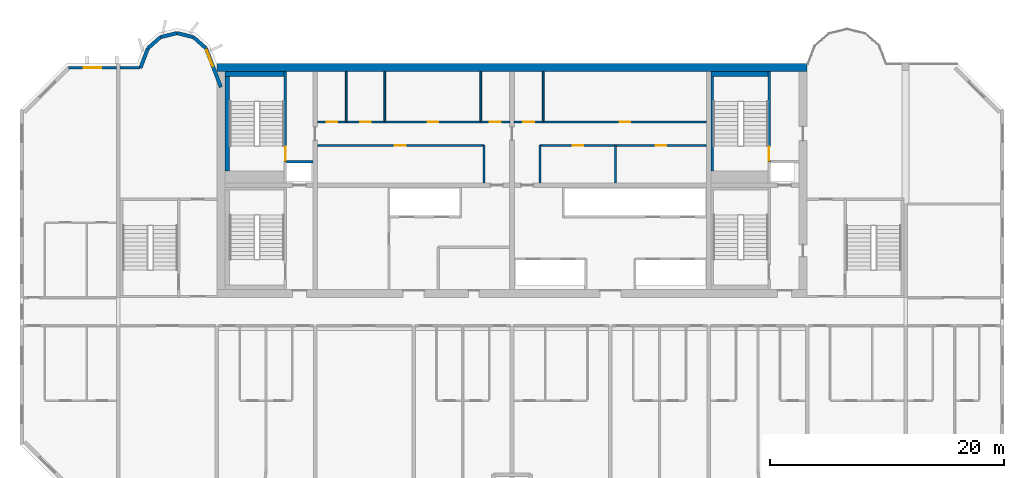
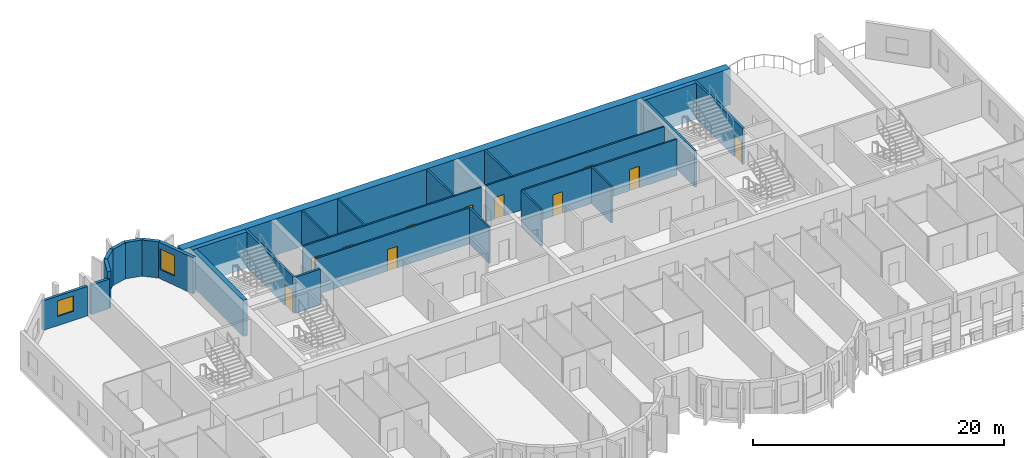
# One storey, part 7 of 13: 27 walls, 11 doors, 2 windows, 13 openings.
"""IFC4 building model written with IfcOpenShell, lengths in metres."""

from ifc_helpers import new_model, si_unit, direction, frame, frame_2d, origin, place, context, subcontext, project, spatial, rectangle, extrude, source, transform, mapped, material, layer, layer_set, type_object, element, fill, save


model = new_model("IFC4")

# Units and contexts
model_context = context("Model", 3, precision=1e-05, world=origin(), true_north=direction((0.0, 1.0)))
body_context = subcontext(model_context, "Body", "Model", "MODEL_VIEW")
ifc_project = project(units=[si_unit("LENGTHUNIT", "METRE"), si_unit("AREAUNIT", "SQUARE_METRE"), si_unit("VOLUMEUNIT", "CUBIC_METRE"), si_unit("PLANEANGLEUNIT", "RADIAN"), si_unit("MASSUNIT", "GRAM", prefix="KILO")], contexts=[model_context])

# Site, building, storey
site_placement = place(None, origin())
site = spatial("IfcSite", under=ifc_project, at=site_placement, CompositionType="ELEMENT")
building_placement = place(site_placement, origin())
building = spatial("IfcBuilding", under=site, at=building_placement, Name="Vanashikhar Sky Hotel", CompositionType="ELEMENT")
storey_placement = place(building_placement, frame((0.0, 0.0, 155.39990234375)))
storey = spatial("IfcBuildingStorey", under=building, at=storey_placement, Name="L37", CompositionType="ELEMENT", Elevation=155.39990234375)

# Wall
ifc_material_1 = material(Name="Concrete M60", Category="concrete")
ifc_layer_1 = layer(ifc_material_1, 0.699951171875)
ifc_layer_set_1 = layer_set([ifc_layer_1], Name="RC core shell wall 700 Concrete M60")
wall_type_1 = type_object("IfcWallType", Name="RC core shell wall 700 Concrete M60", PredefinedType="SHEAR", material=ifc_layer_set_1)
shared_shape_1 = source(origin(), body_context, "Body", "SweptSolid", [
    extrude(rectangle(XDim=50.400146484375, YDim=0.699951171875, at=frame_2d((25.2001953125, 0.0))), origin(), (0.0, 0.0, 1.0), 3.52001953125),
])
wall_1_placement = place(storey_placement, frame((25.199951171875, 41.64990234375, 0.0), z_axis=(0.0, 0.0, 1.0), x_axis=(1.0, 0.0, 0.0)))
element("IfcWall", 1, at=wall_1_placement, inside=storey, type_object=wall_type_1, Name="KW-L37-KN", PredefinedType="SHEAR", context=body_context, shape_type="MappedRepresentation", body=[
    mapped(shared_shape_1, transform((0.0, 0.0, 0.0), scale=1.0)),
])

# Wall, opening, window
ifc_material_2 = material(Name="Concrete M50", Category="concrete")
ifc_layer_2 = layer(ifc_material_2, 0.300048828125)
ifc_layer_set_2 = layer_set([ifc_layer_2], Name="Lobe wall 300")
wall_type_2 = type_object("IfcWallType", Name="Lobe wall 300", PredefinedType="SOLIDWALL", material=ifc_layer_set_2)
shared_shape_2 = source(origin(), body_context, "Body", "SweptSolid", [
    extrude(rectangle(XDim=3.55908203125, YDim=0.300048828125, at=frame_2d((1.779541015625, 0.0))), origin(), (0.0, 0.0, 1.0), 3.52001953125),
])
wall_2_placement = place(storey_placement, frame((25.550048828125, 39.968505859375, 0.0), z_axis=(0.0, 0.0, 1.0), x_axis=(-0.35779745313, 0.933799219604, 0.0)))
wall_2 = element("IfcWall", 2, at=wall_2_placement, inside=storey, type_object=wall_type_2, Name="Lobe wall", PredefinedType="SOLIDWALL", context=body_context, shape_type="MappedRepresentation", body=[
    mapped(shared_shape_2, transform((0.0, 0.0, 0.0), scale=1.0)),
])
shared_shape_3 = source(origin(), body_context, "Body", "SweptSolid", [
    extrude(rectangle(XDim=1.5, YDim=2.0, at=frame_2d((0.75, 1.0))), frame((0.0, 0.16015625, 0.0), z_axis=(0.0, -1.0, 0.0), x_axis=(1.0, 0.0, 0.0)), (0.0, 0.0, 1.0), 0.320068359375),
])
opening_1_placement = place(wall_2_placement, frame((1.9033203125, 0.0, 0.89990234375)))
opening_1 = element("IfcOpeningElement", 3, at=opening_1_placement, cuts=wall_2, Name="Opening WN-2", PredefinedType="OPENING", context=body_context, shape_type="MappedRepresentation", body=[
    mapped(shared_shape_3, transform((0.0, 0.0, 0.0), scale=1.0)),
])
ifc_material_3 = material(Name="Glass", Category="glass")
window_type_1 = type_object("IfcWindowType", Name="Lobe window 1500 x 2000", PartitioningType="SINGLE_PANEL", PredefinedType="WINDOW", material=ifc_material_3)
shared_shape_4 = source(origin(), body_context, "Body", "SweptSolid", [
    extrude(rectangle(XDim=1.5, YDim=2.0, at=frame_2d((0.75, 1.0))), frame((0.0, 0.030029296875, 0.0), z_axis=(0.0, -1.0, 0.0), x_axis=(1.0, 0.0, 0.0)), (0.0, 0.0, 1.0), 0.06005859375),
])
window_1_placement = place(opening_1_placement, origin())
window_1 = element("IfcWindow", 4, at=window_1_placement, inside=storey, type_object=window_type_1, Name="Window WN-2", OverallHeight=2.0, OverallWidth=1.5, PartitioningType="SINGLE_PANEL", PredefinedType="WINDOW", context=body_context, shape_type="MappedRepresentation", body=[
    mapped(shared_shape_4, transform((0.0, 0.0, 0.0), scale=1.0)),
])
fill(opening_1, window_1)

# Walls
shared_shape_5 = source(origin(), body_context, "Body", "SweptSolid", [
    extrude(rectangle(XDim=1.440185546875, YDim=0.300048828125, at=frame_2d((0.72021484375, 0.0))), origin(), (0.0, 0.0, 1.0), 3.52001953125),
])
wall_3_placement = place(storey_placement, frame((24.276611328125, 43.2919921875, 0.0), z_axis=(0.0, 0.0, 1.0), x_axis=(-0.749649827867, 0.661834673902, 0.0)))
element("IfcWall", 5, at=wall_3_placement, inside=storey, type_object=wall_type_2, Name="Lobe wall", PredefinedType="SOLIDWALL", context=body_context, shape_type="MappedRepresentation", body=[
    mapped(shared_shape_5, transform((0.0, 0.0, 0.0), scale=1.0)),
])
shared_shape_6 = source(origin(), body_context, "Body", "SweptSolid", [
    extrude(rectangle(XDim=1.4384765625, YDim=0.300048828125, at=frame_2d((0.71923828125, 0.0))), origin(), (0.0, 0.0, 1.0), 3.52001953125),
])
wall_4_placement = place(storey_placement, frame((23.197021484375, 44.2451171875, 0.0), z_axis=(0.0, 0.0, 1.0), x_axis=(-0.971152283879, 0.238460146601, 0.0)))
element("IfcWall", 6, at=wall_4_placement, inside=storey, type_object=wall_type_2, Name="Lobe wall", PredefinedType="SOLIDWALL", context=body_context, shape_type="MappedRepresentation", body=[
    mapped(shared_shape_6, transform((0.0, 0.0, 0.0), scale=1.0)),
])
shared_shape_7 = source(origin(), body_context, "Body", "SweptSolid", [
    extrude(rectangle(XDim=1.438720703125, YDim=0.300048828125, at=frame_2d((0.71923828125, 0.0))), origin(), (0.0, 0.0, 1.0), 3.52001953125),
])
wall_5_placement = place(storey_placement, frame((21.800048828125, 44.588134765625, 0.0), z_axis=(0.0, 0.0, 1.0), x_axis=(-0.971161932466, -0.238420848351, 0.0)))
element("IfcWall", 7, at=wall_5_placement, inside=storey, type_object=wall_type_2, Name="Lobe wall", PredefinedType="SOLIDWALL", context=body_context, shape_type="MappedRepresentation", body=[
    mapped(shared_shape_7, transform((0.0, 0.0, 0.0), scale=1.0)),
])
shared_shape_8 = source(origin(), body_context, "Body", "SweptSolid", [
    extrude(rectangle(XDim=1.43994140625, YDim=0.300048828125, at=frame_2d((0.719970703125, 0.0))), origin(), (0.0, 0.0, 1.0), 3.52001953125),
])
wall_6_placement = place(storey_placement, frame((20.40283203125, 44.2451171875, 0.0), z_axis=(0.0, 0.0, 1.0), x_axis=(-0.74957555648, -0.661918790432, 0.0)))
element("IfcWall", 8, at=wall_6_placement, inside=storey, type_object=wall_type_2, Name="Lobe wall", PredefinedType="SOLIDWALL", context=body_context, shape_type="MappedRepresentation", body=[
    mapped(shared_shape_8, transform((0.0, 0.0, 0.0), scale=1.0)),
])
shared_shape_9 = source(origin(), body_context, "Body", "SweptSolid", [
    extrude(rectangle(XDim=1.81201171875, YDim=0.300048828125, at=frame_2d((0.906005859375, 0.0))), origin(), (0.0, 0.0, 1.0), 3.52001953125),
])
wall_7_placement = place(storey_placement, frame((19.323486328125, 43.2919921875, 0.0), z_axis=(0.0, 0.0, 1.0), x_axis=(-0.357877270961, -0.93376863244, 0.0)))
element("IfcWall", 9, at=wall_7_placement, inside=storey, type_object=wall_type_2, Name="Lobe wall", PredefinedType="SOLIDWALL", context=body_context, shape_type="MappedRepresentation", body=[
    mapped(shared_shape_9, transform((0.0, 0.0, 0.0), scale=1.0)),
])

# Wall, opening, window
ifc_layer_3 = layer(ifc_material_2, 0.25)
ifc_layer_set_3 = layer_set([ifc_layer_3], Name="Rear and end board-marked wall 250")
wall_type_3 = type_object("IfcWallType", Name="Rear and end board-marked wall 250", PredefinedType="SOLIDWALL", material=ifc_layer_set_3)
shared_shape_10 = source(origin(), body_context, "Body", "SweptSolid", [
    extrude(rectangle(XDim=4.094482421875, YDim=0.25, at=frame_2d((2.04736328125, 0.0))), origin(), (0.0, 0.0, 1.0), 2.8701171875),
])
wall_8_placement = place(storey_placement, frame((16.64990234375, 41.625, 0.0), z_axis=(0.0, 0.0, 1.0), x_axis=(-1.0, 0.0, 0.0)))
wall_8 = element("IfcWall", 10, at=wall_8_placement, inside=storey, type_object=wall_type_3, Name="Rear board-marked wall", PredefinedType="SOLIDWALL", context=body_context, shape_type="MappedRepresentation", body=[
    mapped(shared_shape_10, transform((0.0, 0.0, 0.0), scale=1.0)),
])
shared_shape_11 = source(origin(), body_context, "Body", "SweptSolid", [
    extrude(rectangle(XDim=1.5, YDim=1.5, at=frame_2d((0.75, 0.75))), frame((0.0, 0.135009765625, 0.0), z_axis=(0.0, -1.0, 0.0), x_axis=(1.0, 0.0, 0.0)), (0.0, 0.0, 1.0), 0.27001953125),
])
opening_2_placement = place(wall_8_placement, frame((1.29736328125, 0.0, 0.89990234375)))
opening_2 = element("IfcOpeningElement", 11, at=opening_2_placement, cuts=wall_8, Name="Opening WN-1", PredefinedType="OPENING", context=body_context, shape_type="MappedRepresentation", body=[
    mapped(shared_shape_11, transform((0.0, 0.0, 0.0), scale=1.0)),
])
window_type_2 = type_object("IfcWindowType", Name="Window 1500 x 1500", PartitioningType="SINGLE_PANEL", PredefinedType="WINDOW", material=ifc_material_3)
shared_shape_12 = source(origin(), body_context, "Body", "SweptSolid", [
    extrude(rectangle(XDim=1.5, YDim=1.5, at=frame_2d((0.75, 0.75))), frame((0.0, 0.030029296875, 0.0), z_axis=(0.0, -1.0, 0.0), x_axis=(1.0, 0.0, 0.0)), (0.0, 0.0, 1.0), 0.06005859375),
])
window_2_placement = place(opening_2_placement, origin())
window_2 = element("IfcWindow", 12, at=window_2_placement, inside=storey, type_object=window_type_2, Name="Window WN-1", OverallHeight=1.5, OverallWidth=1.5, PartitioningType="SINGLE_PANEL", PredefinedType="WINDOW", context=body_context, shape_type="MappedRepresentation", body=[
    mapped(shared_shape_12, transform((0.0, 0.0, 0.0), scale=1.0)),
])
fill(opening_2, window_2)

# Walls
shared_shape_13 = source(origin(), body_context, "Body", "SweptSolid", [
    extrude(rectangle(XDim=1.7080078125, YDim=0.25, at=frame_2d((0.85400390625, 0.0))), origin(), (0.0, 0.0, 1.0), 2.8701171875),
])
wall_9_placement = place(storey_placement, frame((18.657958984375, 41.625, 0.0), z_axis=(0.0, 0.0, 1.0), x_axis=(-1.0, 0.0, 0.0)))
element("IfcWall", 13, at=wall_9_placement, inside=storey, type_object=wall_type_3, Name="Rear board-marked wall", PredefinedType="SOLIDWALL", context=body_context, shape_type="MappedRepresentation", body=[
    mapped(shared_shape_13, transform((0.0, 0.0, 0.0), scale=1.0)),
])
ifc_material_4 = material(Name="Concrete M40", Category="concrete")
ifc_layer_4 = layer(ifc_material_4, 0.199951171875)
ifc_layer_set_4 = layer_set([ifc_layer_4], Name="Shaft wall 200")
wall_type_4 = type_object("IfcWallType", Name="Shaft wall 200", PredefinedType="SOLIDWALL", material=ifc_layer_set_4)
shared_shape_14 = source(origin(), body_context, "Body", "SweptSolid", [
    extrude(rectangle(XDim=2.25, YDim=0.199951171875, at=frame_2d((1.125, 0.0))), origin(), (0.0, 0.0, 1.0), 3.52001953125),
])
wall_10_placement = place(storey_placement, frame((31.14990234375, 33.60009765625, 0.0), z_axis=(0.0, 0.0, 1.0), x_axis=(1.0, 0.0, 0.0)))
element("IfcWall", 14, at=wall_10_placement, inside=storey, type_object=wall_type_4, Name="Shaft wall 200", PredefinedType="SOLIDWALL", context=body_context, shape_type="MappedRepresentation", body=[
    mapped(shared_shape_14, transform((0.0, 0.0, 0.0), scale=1.0)),
])
ifc_layer_5 = layer(ifc_material_2, 0.199951171875)
ifc_layer_set_5 = layer_set([ifc_layer_5], Name="Stair infill wall 200")
wall_type_5 = type_object("IfcWallType", Name="Stair infill wall 200", PredefinedType="SOLIDWALL", material=ifc_layer_set_5)
shared_shape_15 = source(origin(), body_context, "Body", "SweptSolid", [
    extrude(rectangle(XDim=8.099853515625, YDim=0.199951171875, at=frame_2d((4.0498046875, 0.0))), origin(), (0.0, 0.0, 1.0), 3.52001953125),
])
wall_11_placement = place(storey_placement, frame((67.5, 32.800048828125, 0.0), z_axis=(0.0, 0.0, 1.0), x_axis=(0.0, 1.0, 0.0)))
element("IfcWall", 15, at=wall_11_placement, inside=storey, type_object=wall_type_5, Name="Stair infill wall 200", PredefinedType="SOLIDWALL", context=body_context, shape_type="MappedRepresentation", body=[
    mapped(shared_shape_15, transform((0.0, 0.0, 0.0), scale=1.0)),
])
ifc_material_5 = material(Name="Gypsum board partition")
ifc_layer_6 = layer(ifc_material_5, 0.14990234375)
ifc_layer_set_6 = layer_set([ifc_layer_6], Name="Service partition 150")
wall_type_6 = type_object("IfcWallType", Name="Service partition 150", PredefinedType="PARTITIONING", material=ifc_layer_set_6)
shared_shape_16 = source(origin(), body_context, "Body", "SweptSolid", [
    extrude(rectangle(XDim=3.199951171875, YDim=0.14990234375, at=frame_2d((1.60009765625, 0.0))), origin(), (0.0, 0.0, 1.0), 3.52001953125),
])
for number, where, z_axis, x_axis, name in (
    (16, (48.0, 31.800048828125, 0.0), (0.0, 0.0, 1.0), (0.0, 1.0, 0.0), "Service partition 150"),
    (17, (52.800048828125, 31.800048828125, 0.0), (0.0, 0.0, 1.0), (0.0, 1.0, 0.0), "Service partition 150"),
    (18, (59.23095703125, 31.800048828125, 0.0), (0.0, 0.0, 1.0), (0.0, 1.0, 0.0), "Service partition 150"),
):
    element("IfcWall", number, at=place(storey_placement, frame(where, z_axis=z_axis, x_axis=x_axis)), inside=storey, type_object=wall_type_6, Name=name, PredefinedType="PARTITIONING", context=body_context, shape_type="MappedRepresentation", body=[
        mapped(shared_shape_16, transform((0.0, 0.0, 0.0), scale=1.0)),
    ])

# Wall, opening, door
shared_shape_17 = source(origin(), body_context, "Body", "SweptSolid", [
    extrude(rectangle(XDim=14.199951171875, YDim=0.14990234375, at=frame_2d((7.10009765625, 0.0))), origin(), (0.0, 0.0, 1.0), 3.52001953125),
])
wall_12_placement = place(storey_placement, frame((33.800048828125, 35.0, 0.0), z_axis=(0.0, 0.0, 1.0), x_axis=(1.0, 0.0, 0.0)))
wall_12 = element("IfcWall", 19, at=wall_12_placement, inside=storey, type_object=wall_type_6, Name="Service partition 150", PredefinedType="PARTITIONING", context=body_context, shape_type="MappedRepresentation", body=[
    mapped(shared_shape_17, transform((0.0, 0.0, 0.0), scale=1.0)),
])
shared_shape_18 = source(origin(), body_context, "Body", "SweptSolid", [
    extrude(rectangle(XDim=0.89990234375, YDim=2.10009765625, at=frame_2d((0.449951171875, 1.050048828125))), frame((0.0, 0.0849609375, 0.0), z_axis=(0.0, -1.0, 0.0), x_axis=(1.0, 0.0, 0.0)), (0.0, 0.0, 1.0), 0.169921875),
])
opening_3_placement = place(wall_12_placement, frame((6.612060546875, 0.0, 0.0)))
opening_3 = element("IfcOpeningElement", 20, at=opening_3_placement, cuts=wall_12, Name="Opening DC-4-A", PredefinedType="OPENING", context=body_context, shape_type="MappedRepresentation", body=[
    mapped(shared_shape_18, transform((0.0, 0.0, 0.0), scale=1.0)),
])
ifc_material_6 = material(Name="Steel", Category="steel")
door_type_1 = type_object("IfcDoorType", Name="Service door 900 FD60", OperationType="NOTDEFINED", PredefinedType="DOOR", material=ifc_material_6)
shared_shape_19 = source(origin(), body_context, "Body", "SweptSolid", [
    extrude(rectangle(XDim=0.89990234375, YDim=2.10009765625, at=frame_2d((0.449951171875, 1.050048828125))), frame((0.0, 0.02490234375, 0.0), z_axis=(0.0, -1.0, 0.0), x_axis=(1.0, 0.0, 0.0)), (0.0, 0.0, 1.0), 0.050048828125),
])
door_1_placement = place(opening_3_placement, origin())
door_1 = element("IfcDoor", 21, at=door_1_placement, inside=storey, type_object=door_type_1, Name="Service door 900 FD60", OperationType="SINGLE_SWING_RIGHT", OverallHeight=2.10009765625, OverallWidth=0.89990234375, PredefinedType="DOOR", context=body_context, shape_type="MappedRepresentation", body=[
    mapped(shared_shape_19, transform((0.0, 0.0, 0.0), scale=1.0)),
])
fill(opening_3, door_1)

# Wall, openings, doors
wall_13_placement = place(storey_placement, frame((67.0, 35.0, 0.0), z_axis=(0.0, 0.0, 1.0), x_axis=(-1.0, 0.0, 0.0)))
wall_13 = element("IfcWall", 22, at=wall_13_placement, inside=storey, type_object=wall_type_6, Name="Service partition 150", PredefinedType="PARTITIONING", context=body_context, shape_type="MappedRepresentation", body=[
    mapped(shared_shape_17, transform((0.0, 0.0, 0.0), scale=1.0)),
])
opening_4_placement = place(wall_13_placement, frame((3.43408203125, 0.0, 0.0)))
opening_4 = element("IfcOpeningElement", 23, at=opening_4_placement, cuts=wall_13, Name="Opening DC-4-A", PredefinedType="OPENING", context=body_context, shape_type="MappedRepresentation", body=[
    mapped(shared_shape_18, transform((0.0, 0.0, 0.0), scale=1.0)),
])
opening_5_placement = place(wall_13_placement, frame((10.4970703125, 0.0, 0.0)))
opening_5 = element("IfcOpeningElement", 24, at=opening_5_placement, cuts=wall_13, Name="Opening DC-4-A", PredefinedType="OPENING", context=body_context, shape_type="MappedRepresentation", body=[
    mapped(shared_shape_18, transform((0.0, 0.0, 0.0), scale=1.0)),
])
door_2_placement = place(opening_4_placement, origin())
door_2 = element("IfcDoor", 25, at=door_2_placement, inside=storey, type_object=door_type_1, Name="Service door 900 FD60", OperationType="SINGLE_SWING_LEFT", OverallHeight=2.10009765625, OverallWidth=0.89990234375, PredefinedType="DOOR", context=body_context, shape_type="MappedRepresentation", body=[
    mapped(shared_shape_19, transform((0.0, 0.0, 0.0), scale=1.0)),
])
fill(opening_4, door_2)
door_3_placement = place(opening_5_placement, origin())
door_3 = element("IfcDoor", 26, at=door_3_placement, inside=storey, type_object=door_type_1, Name="Service door 900 FD60", OperationType="SINGLE_SWING_RIGHT", OverallHeight=2.10009765625, OverallWidth=0.89990234375, PredefinedType="DOOR", context=body_context, shape_type="MappedRepresentation", body=[
    mapped(shared_shape_19, transform((0.0, 0.0, 0.0), scale=1.0)),
])
fill(opening_5, door_3)

shared_shape_20 = source(origin(), body_context, "Body", "SweptSolid", [
    extrude(rectangle(XDim=16.39990234375, YDim=0.14990234375, at=frame_2d((8.199951171875, 0.0))), origin(), (0.0, 0.0, 1.0), 3.52001953125),
])
wall_14_placement = place(storey_placement, frame((33.800048828125, 37.0, 0.0), z_axis=(0.0, 0.0, 1.0), x_axis=(1.0, 0.0, 0.0)))
wall_14 = element("IfcWall", 27, at=wall_14_placement, inside=storey, type_object=wall_type_6, Name="Service partition 150", PredefinedType="PARTITIONING", context=body_context, shape_type="MappedRepresentation", body=[
    mapped(shared_shape_20, transform((0.0, 0.0, 0.0), scale=1.0)),
])
opening_6_placement = place(wall_14_placement, frame((0.780029296875, 0.0, 0.0)))
opening_6 = element("IfcOpeningElement", 28, at=opening_6_placement, cuts=wall_14, Name="Opening DC-4-A", PredefinedType="OPENING", context=body_context, shape_type="MappedRepresentation", body=[
    mapped(shared_shape_18, transform((0.0, 0.0, 0.0), scale=1.0)),
])
opening_7_placement = place(wall_14_placement, frame((3.64990234375, 0.0, 0.0)))
opening_7 = element("IfcOpeningElement", 29, at=opening_7_placement, cuts=wall_14, Name="Opening DC-4-A", PredefinedType="OPENING", context=body_context, shape_type="MappedRepresentation", body=[
    mapped(shared_shape_18, transform((0.0, 0.0, 0.0), scale=1.0)),
])
opening_8_placement = place(wall_14_placement, frame((9.389892578125, 0.0, 0.0)))
opening_8 = element("IfcOpeningElement", 30, at=opening_8_placement, cuts=wall_14, Name="Opening DC-4-A", PredefinedType="OPENING", context=body_context, shape_type="MappedRepresentation", body=[
    mapped(shared_shape_18, transform((0.0, 0.0, 0.0), scale=1.0)),
])
opening_9_placement = place(wall_14_placement, frame((14.719970703125, 0.0, 0.0)))
opening_9 = element("IfcOpeningElement", 31, at=opening_9_placement, cuts=wall_14, Name="Opening DC-4-A", PredefinedType="OPENING", context=body_context, shape_type="MappedRepresentation", body=[
    mapped(shared_shape_18, transform((0.0, 0.0, 0.0), scale=1.0)),
])
door_4_placement = place(opening_6_placement, origin())
door_4 = element("IfcDoor", 32, at=door_4_placement, inside=storey, type_object=door_type_1, Name="Service door 900 FD60", OperationType="SINGLE_SWING_RIGHT", OverallHeight=2.10009765625, OverallWidth=0.89990234375, PredefinedType="DOOR", context=body_context, shape_type="MappedRepresentation", body=[
    mapped(shared_shape_19, transform((0.0, 0.0, 0.0), scale=1.0)),
])
fill(opening_6, door_4)
door_5_placement = place(opening_7_placement, origin())
door_5 = element("IfcDoor", 33, at=door_5_placement, inside=storey, type_object=door_type_1, Name="Service door 900 FD60", OperationType="SINGLE_SWING_RIGHT", OverallHeight=2.10009765625, OverallWidth=0.89990234375, PredefinedType="DOOR", context=body_context, shape_type="MappedRepresentation", body=[
    mapped(shared_shape_19, transform((0.0, 0.0, 0.0), scale=1.0)),
])
fill(opening_7, door_5)
door_6_placement = place(opening_8_placement, origin())
door_6 = element("IfcDoor", 34, at=door_6_placement, inside=storey, type_object=door_type_1, Name="Service door 900 FD60", OperationType="SINGLE_SWING_RIGHT", OverallHeight=2.10009765625, OverallWidth=0.89990234375, PredefinedType="DOOR", context=body_context, shape_type="MappedRepresentation", body=[
    mapped(shared_shape_19, transform((0.0, 0.0, 0.0), scale=1.0)),
])
fill(opening_8, door_6)
door_7_placement = place(opening_9_placement, origin())
door_7 = element("IfcDoor", 35, at=door_7_placement, inside=storey, type_object=door_type_1, Name="Service door 900 FD60", OperationType="SINGLE_SWING_LEFT", OverallHeight=2.10009765625, OverallWidth=0.89990234375, PredefinedType="DOOR", context=body_context, shape_type="MappedRepresentation", body=[
    mapped(shared_shape_19, transform((0.0, 0.0, 0.0), scale=1.0)),
])
fill(opening_9, door_7)

wall_15_placement = place(storey_placement, frame((67.0, 37.0, 0.0), z_axis=(0.0, 0.0, 1.0), x_axis=(-1.0, 0.0, 0.0)))
wall_15 = element("IfcWall", 36, at=wall_15_placement, inside=storey, type_object=wall_type_6, Name="Service partition 150", PredefinedType="PARTITIONING", context=body_context, shape_type="MappedRepresentation", body=[
    mapped(shared_shape_20, transform((0.0, 0.0, 0.0), scale=1.0)),
])
opening_10_placement = place(wall_15_placement, frame((6.52001953125, 0.0, 0.0)))
opening_10 = element("IfcOpeningElement", 37, at=opening_10_placement, cuts=wall_15, Name="Opening DC-4-A", PredefinedType="OPENING", context=body_context, shape_type="MappedRepresentation", body=[
    mapped(shared_shape_18, transform((0.0, 0.0, 0.0), scale=1.0)),
])
opening_11_placement = place(wall_15_placement, frame((14.719970703125, 0.0, 0.0)))
opening_11 = element("IfcOpeningElement", 38, at=opening_11_placement, cuts=wall_15, Name="Opening DC-4-A", PredefinedType="OPENING", context=body_context, shape_type="MappedRepresentation", body=[
    mapped(shared_shape_18, transform((0.0, 0.0, 0.0), scale=1.0)),
])
door_8_placement = place(opening_10_placement, origin())
door_8 = element("IfcDoor", 39, at=door_8_placement, inside=storey, type_object=door_type_1, Name="Service door 900 FD60", OperationType="SINGLE_SWING_RIGHT", OverallHeight=2.10009765625, OverallWidth=0.89990234375, PredefinedType="DOOR", context=body_context, shape_type="MappedRepresentation", body=[
    mapped(shared_shape_19, transform((0.0, 0.0, 0.0), scale=1.0)),
])
fill(opening_10, door_8)
door_9_placement = place(opening_11_placement, origin())
door_9 = element("IfcDoor", 40, at=door_9_placement, inside=storey, type_object=door_type_1, Name="Service door 900 FD60", OperationType="SINGLE_SWING_LEFT", OverallHeight=2.10009765625, OverallWidth=0.89990234375, PredefinedType="DOOR", context=body_context, shape_type="MappedRepresentation", body=[
    mapped(shared_shape_19, transform((0.0, 0.0, 0.0), scale=1.0)),
])
fill(opening_11, door_9)

# Walls
shared_shape_21 = source(origin(), body_context, "Body", "SweptSolid", [
    extrude(rectangle(XDim=4.300048828125, YDim=0.14990234375, at=frame_2d((2.14990234375, 0.0))), origin(), (0.0, 0.0, 1.0), 3.52001953125),
])
for number, where, z_axis, x_axis, name in (
    (41, (36.260009765625, 37.0, 0.0), (0.0, 0.0, 1.0), (0.0, 1.0, 0.0), "Service partition 150"),
    (42, (39.5400390625, 37.0, 0.0), (0.0, 0.0, 1.0), (0.0, 1.0, 0.0), "Service partition 150"),
    (43, (47.739990234375, 37.0, 0.0), (0.0, 0.0, 1.0), (0.0, 1.0, 0.0), "Service partition 150"),
    (44, (53.06005859375, 37.0, 0.0), (0.0, 0.0, 1.0), (0.0, 1.0, 0.0), "Service partition 150"),
):
    element("IfcWall", number, at=place(storey_placement, frame(where, z_axis=z_axis, x_axis=x_axis)), inside=storey, type_object=wall_type_6, Name=name, PredefinedType="PARTITIONING", context=body_context, shape_type="MappedRepresentation", body=[
        mapped(shared_shape_21, transform((0.0, 0.0, 0.0), scale=1.0)),
    ])

# Wall, opening, door
ifc_layer_7 = layer(ifc_material_2, 0.199951171875)
ifc_layer_set_7 = layer_set([ifc_layer_7], Name="Stair wall 200")
wall_type_7 = type_object("IfcWallType", Name="Stair wall 200", PredefinedType="SOLIDWALL", material=ifc_layer_set_7)
shared_shape_22 = source(origin(), body_context, "Body", "SweptSolid", [
    extrude(rectangle(XDim=7.699951171875, YDim=0.199951171875, at=frame_2d((3.85009765625, 0.0))), origin(), (0.0, 0.0, 1.0), 3.52001953125),
])
wall_16_placement = place(storey_placement, frame((31.050048828125, 33.60009765625, 0.0), z_axis=(0.0, 0.0, 1.0), x_axis=(0.0, 1.0, 0.0)))
wall_16 = element("IfcWall", 45, at=wall_16_placement, inside=storey, type_object=wall_type_7, Name="Stair wall 200", PredefinedType="SOLIDWALL", context=body_context, shape_type="MappedRepresentation", body=[
    mapped(shared_shape_22, transform((0.0, 0.0, 0.0), scale=1.0)),
])
shared_shape_23 = source(origin(), body_context, "Body", "SweptSolid", [
    extrude(rectangle(XDim=1.199951171875, YDim=2.10009765625, at=frame_2d((0.60009765625, 1.050048828125))), frame((0.0, 0.10986328125, 0.0), z_axis=(0.0, -1.0, 0.0), x_axis=(1.0, 0.0, 0.0)), (0.0, 0.0, 1.0), 0.219970703125),
])
opening_12_placement = place(wall_16_placement, frame((0.10009765625, 0.0, 0.0)))
opening_12 = element("IfcOpeningElement", 46, at=opening_12_placement, cuts=wall_16, Name="Opening DC-1", PredefinedType="OPENING", context=body_context, shape_type="MappedRepresentation", body=[
    mapped(shared_shape_23, transform((0.0, 0.0, 0.0), scale=1.0)),
])
door_type_2 = type_object("IfcDoorType", Name="Stair door 1200 FD120", OperationType="NOTDEFINED", PredefinedType="DOOR", material=ifc_material_6)
shared_shape_24 = source(origin(), body_context, "Body", "SweptSolid", [
    extrude(rectangle(XDim=1.199951171875, YDim=2.10009765625, at=frame_2d((0.60009765625, 1.050048828125))), frame((0.0, 0.02490234375, 0.0), z_axis=(0.0, -1.0, 0.0), x_axis=(1.0, 0.0, 0.0)), (0.0, 0.0, 1.0), 0.050048828125),
])
door_10_placement = place(opening_12_placement, origin())
door_10 = element("IfcDoor", 47, at=door_10_placement, inside=storey, type_object=door_type_2, Name="Stair door 1200 FD120", OperationType="SINGLE_SWING_RIGHT", OverallHeight=2.10009765625, OverallWidth=1.199951171875, PredefinedType="DOOR", context=body_context, shape_type="MappedRepresentation", body=[
    mapped(shared_shape_24, transform((0.0, 0.0, 0.0), scale=1.0)),
])
fill(opening_12, door_10)

wall_17_placement = place(storey_placement, frame((72.35009765625, 33.60009765625, 0.0), z_axis=(0.0, 0.0, 1.0), x_axis=(0.0, 1.0, 0.0)))
wall_17 = element("IfcWall", 48, at=wall_17_placement, inside=storey, type_object=wall_type_7, Name="Stair wall 200", PredefinedType="SOLIDWALL", context=body_context, shape_type="MappedRepresentation", body=[
    mapped(shared_shape_22, transform((0.0, 0.0, 0.0), scale=1.0)),
])
opening_13_placement = place(wall_17_placement, frame((0.10009765625, 0.0, 0.0)))
opening_13 = element("IfcOpeningElement", 49, at=opening_13_placement, cuts=wall_17, Name="Opening DC-1", PredefinedType="OPENING", context=body_context, shape_type="MappedRepresentation", body=[
    mapped(shared_shape_23, transform((0.0, 0.0, 0.0), scale=1.0)),
])
door_11_placement = place(opening_13_placement, origin())
door_11 = element("IfcDoor", 50, at=door_11_placement, inside=storey, type_object=door_type_2, Name="Stair door 1200 FD120", OperationType="SINGLE_SWING_LEFT", OverallHeight=2.10009765625, OverallWidth=1.199951171875, PredefinedType="DOOR", context=body_context, shape_type="MappedRepresentation", body=[
    mapped(shared_shape_24, transform((0.0, 0.0, 0.0), scale=1.0)),
])
fill(opening_13, door_11)

# Walls
ifc_layer_8 = layer(ifc_material_2, 0.39990234375)
ifc_layer_set_8 = layer_set([ifc_layer_8], Name="Stair infill wall 400")
wall_type_8 = type_object("IfcWallType", Name="Stair infill wall 400", PredefinedType="SOLIDWALL", material=ifc_layer_set_8)
shared_shape_25 = source(origin(), body_context, "Body", "SweptSolid", [
    extrude(rectangle(XDim=5.050048828125, YDim=0.39990234375, at=frame_2d((2.52490234375, 0.0))), origin(), (0.0, 0.0, 1.0), 3.52001953125),
])
wall_18_placement = place(storey_placement, frame((25.89990234375, 41.10009765625, 0.0), z_axis=(0.0, 0.0, 1.0), x_axis=(1.0, 0.0, 0.0)))
element("IfcWall", 51, at=wall_18_placement, inside=storey, type_object=wall_type_8, Name="Stair infill wall 400", PredefinedType="SOLIDWALL", context=body_context, shape_type="MappedRepresentation", body=[
    mapped(shared_shape_25, transform((0.0, 0.0, 0.0), scale=1.0)),
])
shared_shape_26 = source(origin(), body_context, "Body", "SweptSolid", [
    extrude(rectangle(XDim=8.099853515625, YDim=0.39990234375, at=frame_2d((4.0498046875, 0.0))), origin(), (0.0, 0.0, 1.0), 3.52001953125),
])
wall_19_placement = place(storey_placement, frame((26.10009765625, 32.800048828125, 0.0), z_axis=(0.0, 0.0, 1.0), x_axis=(0.0, 1.0, 0.0)))
element("IfcWall", 52, at=wall_19_placement, inside=storey, type_object=wall_type_8, Name="Stair infill wall 400", PredefinedType="SOLIDWALL", context=body_context, shape_type="MappedRepresentation", body=[
    mapped(shared_shape_26, transform((0.0, 0.0, 0.0), scale=1.0)),
])
shared_shape_27 = source(origin(), body_context, "Body", "SweptSolid", [
    extrude(rectangle(XDim=4.85009765625, YDim=0.39990234375, at=frame_2d((2.425048828125, 0.0))), origin(), (0.0, 0.0, 1.0), 3.52001953125),
])
wall_20_placement = place(storey_placement, frame((67.39990234375, 41.10009765625, 0.0), z_axis=(0.0, 0.0, 1.0), x_axis=(1.0, 0.0, 0.0)))
element("IfcWall", 53, at=wall_20_placement, inside=storey, type_object=wall_type_8, Name="Stair infill wall 400", PredefinedType="SOLIDWALL", context=body_context, shape_type="MappedRepresentation", body=[
    mapped(shared_shape_27, transform((0.0, 0.0, 0.0), scale=1.0)),
])

save(model, "model.ifc")
